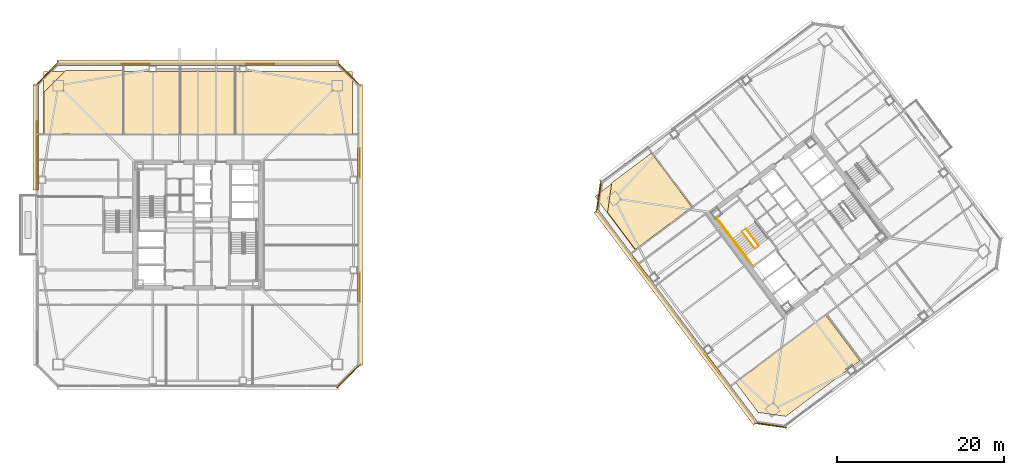
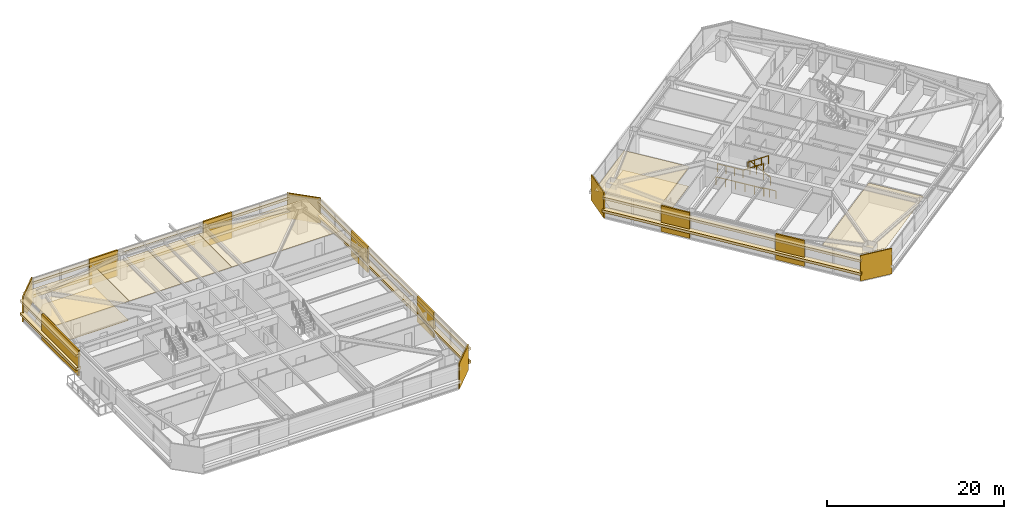
# One storey, part 43 of 46: 28 coverings, 6 railings.
"""IFC4 building model written with IfcOpenShell, lengths in metres."""

from ifc_helpers import new_model, si_unit, direction, frame, origin, origin_2d, place, context, subcontext, project, spatial, polyline, rectangle, outline, extrude, material, layer, layer_set, type_object, element, save


model = new_model("IFC4")

# Units and contexts
model_context = context("Model", 3, precision=1e-05, world=origin(), true_north=direction((0.0, 1.0)))
body_context = subcontext(model_context, "Body", "Model", "MODEL_VIEW")
ifc_project = project(units=[si_unit("LENGTHUNIT", "METRE"), si_unit("AREAUNIT", "SQUARE_METRE"), si_unit("VOLUMEUNIT", "CUBIC_METRE"), si_unit("PLANEANGLEUNIT", "RADIAN"), si_unit("MASSUNIT", "GRAM", prefix="KILO")], contexts=[model_context])

# Site, building, storey
site_placement = place(None, origin())
site = spatial("IfcSite", under=ifc_project, at=site_placement, CompositionType="ELEMENT")
building_placement = place(site_placement, origin())
building = spatial("IfcBuilding", under=site, at=building_placement, Name="Tashvorn Skyway Center", CompositionType="ELEMENT")
storey_placement = place(building_placement, frame((0.0, 0.0, 132.14990234375)))
storey = spatial("IfcBuildingStorey", under=building, at=storey_placement, Name="L35", CompositionType="ELEMENT", Elevation=132.14990234375)

# Coverings
ifc_material_1 = material(Name="Precast concrete C40/50", Category="concrete")
ifc_layer_1 = layer(ifc_material_1, 0.199951171875)
ifc_layer_set_1 = layer_set([ifc_layer_1], Name="Precast concrete C40/50")
covering_type_1 = type_object("IfcCoveringType", Name="COV-BRACE-CLAD", PredefinedType="CLADDING", material=ifc_layer_set_1)
covering_1_placement = place(storey_placement, frame((22.719970703125, 40.4267578125, 0.0), z_axis=(0.0, 0.0, 1.0), x_axis=(0.0, 1.0, 0.0)))
element("IfcCovering", 1, at=covering_1_placement, inside=storey, type_object=covering_type_1, Name="Tower 1 L35 West Curtain Wall R Mega-Brace Cladding Band 1", PredefinedType="CLADDING", context=body_context, shape_type="SweptSolid", body=[
    extrude(rectangle(XDim=8.353271484375, YDim=0.199951171875, at=origin_2d()), origin(), (0.0, 0.0, 1.0), 3.550048828125),
])
for number, where, z_axis, x_axis, name in (
    (2, (34.542236328125, 51.280029296875, 0.0), (0.0, 0.0, 1.0), (1.0, 0.0, 0.0), "Tower 1 L35 North Unitised Curtain Wall Mega-Brace Cladding Band 1"),
    (3, (49.457763671875, 51.280029296875, 0.0), (0.0, 0.0, 1.0), (1.0, 0.0, 0.0), "Tower 1 L35 North Unitised Curtain Wall Mega-Brace Cladding Band 2"),
    (4, (61.280029296875, 39.457763671875, 0.0), (0.0, 0.0, 1.0), (0.0, -1.0, 0.0), "Tower 1 L35 East Unitised Curtain Wall Mega-Brace Cladding Band 1"),
    (5, (61.280029296875, 24.542236328125, 0.0), (0.0, 0.0, 1.0), (0.0, -1.0, 0.0), "Tower 1 L35 East Unitised Curtain Wall Mega-Brace Cladding Band 2"),
):
    element("IfcCovering", number, at=place(storey_placement, frame(where, z_axis=z_axis, x_axis=x_axis)), inside=storey, type_object=covering_type_1, Name=name, PredefinedType="CLADDING", context=body_context, shape_type="SweptSolid", body=[
        extrude(rectangle(XDim=3.72900390625, YDim=0.199951171875, at=origin_2d()), origin(), (0.0, 0.0, 1.0), 3.550048828125),
    ])
for number, where, z_axis, x_axis, name in (
    (6, (103.610595703125, 15.3857421875, 0.0), (0.0, 0.0, 1.0), (-0.600000004945, 0.799999996291, 0.0), "Tower 2 L35 West Unitised Curtain Wall Mega-Brace Cladding Band 1"),
    (7, (95.141357421875, 26.67822265625, 0.0), (0.0, 0.0, 1.0), (-0.600000004945, 0.799999996291, 0.0), "Tower 2 L35 West Unitised Curtain Wall Mega-Brace Cladding Band 2"),
):
    element("IfcCovering", number, at=place(storey_placement, frame(where, z_axis=z_axis, x_axis=x_axis)), inside=storey, type_object=covering_type_1, Name=name, PredefinedType="CLADDING", context=body_context, shape_type="SweptSolid", body=[
        extrude(rectangle(XDim=3.52880859375, YDim=0.199951171875, at=origin_2d()), origin(), (0.0, 0.0, 1.0), 3.550048828125),
    ])
ifc_material_2 = material(Name="Mineral-fibre acoustic ceiling tile on suspended grid")
ifc_layer_2 = layer(ifc_material_2, 0.02001953125)
ifc_layer_set_2 = layer_set([ifc_layer_2], Name="Mineral-fibre acoustic ceiling tile on suspended grid")
covering_type_2 = type_object("IfcCoveringType", Name="COV-CEIL-20", PredefinedType="CEILING", material=ifc_layer_set_2)
covering_2_placement = place(storey_placement, frame((0.0, 0.0, 2.703125)))
element("IfcCovering", 8, at=covering_2_placement, inside=storey, type_object=covering_type_2, Name="Tower 1 L35 Conference Room Acoustic Ceiling", PredefinedType="CEILING", context=body_context, shape_type="SweptSolid", body=[
    extrude(outline(polyline([(23.5, 42.85009765625), (33.10009765625, 42.85009765625), (33.10009765625, 50.39990234375), (23.5, 50.39990234375), (23.5, 42.85009765625)])), origin(), (0.0, 0.0, 1.0), 0.02001953125),
])
covering_3_placement = place(storey_placement, frame((0.0, 0.0, 2.703125)))
element("IfcCovering", 9, at=covering_3_placement, inside=storey, type_object=covering_type_2, Name="Tower 1 L35 Conference Room Acoustic Ceiling", PredefinedType="CEILING", context=body_context, shape_type="SweptSolid", body=[
    extrude(outline(polyline([(33.10009765625, 42.85009765625), (39.89990234375, 42.85009765625), (39.89990234375, 50.39990234375), (33.10009765625, 50.39990234375), (33.10009765625, 42.85009765625)])), origin(), (0.0, 0.0, 1.0), 0.02001953125),
])
covering_4_placement = place(storey_placement, frame((0.0, 0.0, 2.703125)))
element("IfcCovering", 10, at=covering_4_placement, inside=storey, type_object=covering_type_2, Name="Tower 1 L35 Collaborative Studio Acoustic Ceiling", PredefinedType="CEILING", context=body_context, shape_type="SweptSolid", body=[
    extrude(outline(polyline([(39.89990234375, 42.85009765625), (46.5, 42.85009765625), (46.5, 50.39990234375), (39.89990234375, 50.39990234375), (39.89990234375, 42.85009765625)])), origin(), (0.0, 0.0, 1.0), 0.02001953125),
])
covering_5_placement = place(storey_placement, frame((0.0, 0.0, 2.703125)))
element("IfcCovering", 11, at=covering_5_placement, inside=storey, type_object=covering_type_2, Name="Tower 1 L35 Gallery Showroom Acoustic Ceiling", PredefinedType="CEILING", context=body_context, shape_type="SweptSolid", body=[
    extrude(outline(polyline([(46.5, 42.85009765625), (60.5, 42.85009765625), (60.5, 50.39990234375), (46.5, 50.39990234375), (46.5, 42.85009765625)])), origin(), (0.0, 0.0, 1.0), 0.02001953125),
])
covering_6_placement = place(storey_placement, frame((0.0, 0.0, 2.703125)))
element("IfcCovering", 12, at=covering_6_placement, inside=storey, type_object=covering_type_2, Name="Tower 2 L35 Conference Room Acoustic Ceiling", PredefinedType="CEILING", context=body_context, shape_type="SweptSolid", body=[
    extrude(outline(polyline([(94.389892578125, 28.97998046875), (101.27001953125, 34.139892578125), (96.43994140625, 40.580078125), (89.56005859375, 35.419921875), (94.389892578125, 28.97998046875)])), origin(), (0.0, 0.0, 1.0), 0.02001953125),
])
covering_7_placement = place(storey_placement, frame((0.0, 0.0, 2.703125)))
element("IfcCovering", 13, at=covering_7_placement, inside=storey, type_object=covering_type_2, Name="Tower 2 L35 Conference Room Acoustic Ceiling", PredefinedType="CEILING", context=body_context, shape_type="SweptSolid", body=[
    extrude(outline(polyline([(106.431884765625, 13.1240234375), (117.199951171875, 21.199951171875), (121.2919921875, 15.743896484375), (112.412109375, 9.083984375), (109.10791015625, 9.555908203125), (106.431884765625, 13.1240234375)])), origin(), (0.0, 0.0, 1.0), 0.02001953125),
])
ifc_material_3 = material(Name="Polished Mojave desert-aggregate terrazzo and cover plate")
ifc_layer_3 = layer(ifc_material_3, 0.0400390625)
ifc_layer_set_3 = layer_set([ifc_layer_3], Name="Polished Mojave desert-aggregate terrazzo and cover plate")
covering_type_3 = type_object("IfcCoveringType", Name="COV-FLR-40", PredefinedType="FLOORING", material=ifc_layer_set_3)
covering_8_placement = place(storey_placement, origin())
element("IfcCovering", 14, at=covering_8_placement, inside=storey, type_object=covering_type_3, Name="Tower 1 L35 Conference Room Finish Flooring", PredefinedType="FLOORING", context=body_context, shape_type="SweptSolid", body=[
    extrude(outline(polyline([(33.02001953125, 42.929931640625), (23.580078125, 42.929931640625), (23.580078125, 47.8798828125), (26.199951171875, 50.5), (33.02001953125, 50.5), (33.02001953125, 42.929931640625)])), origin(), (0.0, 0.0, 1.0), 0.0400390625),
])
covering_9_placement = place(storey_placement, origin())
element("IfcCovering", 15, at=covering_9_placement, inside=storey, type_object=covering_type_3, Name="Tower 2 L35 Conference Room Finish Flooring", PredefinedType="FLOORING", context=body_context, shape_type="SweptSolid", body=[
    extrude(outline(polyline([(101.157958984375, 34.156005859375), (94.406005859375, 29.092041015625), (91.075927734375, 33.531982421875), (91.580078125, 37.06005859375), (96.31591796875, 40.612060546875), (101.157958984375, 34.156005859375)])), origin(), (0.0, 0.0, 1.0), 0.0400390625),
])
ifc_material_4 = material(Name="Perforated ceramic-coated bronze aluminium solar screen", Category="aluminium")
ifc_layer_4 = layer(ifc_material_4, 0.85009765625)
ifc_layer_set_4 = layer_set([ifc_layer_4], Name="Perforated ceramic-coated bronze aluminium solar screen")
covering_type_4 = type_object("IfcCoveringType", Name="COV-SOLAR-BAND", PredefinedType="CLADDING", material=ifc_layer_set_4)
for number, where, z_axis, x_axis, name in (
    (16, (22.580078125, 42.514892578125, 0.919921875), (0.0, 0.0, 1.0), (0.0, 1.0, 0.0), "L35 Perforated Ceramic-Metal Solar Screen Louvre Band West 1"),
    (17, (22.580078125, 42.514892578125, 2.72021484375), (0.0, 0.0, 1.0), (0.0, 1.0, 0.0), "L35 Perforated Ceramic-Metal Solar Screen Louvre Band West 2"),
):
    element("IfcCovering", number, at=place(storey_placement, frame(where, z_axis=z_axis, x_axis=x_axis)), inside=storey, type_object=covering_type_4, Name=name, PredefinedType="CLADDING", context=body_context, shape_type="SweptSolid", body=[
        extrude(rectangle(XDim=12.64990234375, YDim=0.639892578125, at=origin_2d()), origin(), (0.0, 0.0, 1.0), 0.360107421875),
    ])
for number, where, z_axis, x_axis, name in (
    (18, (42.0, 51.419921875, 0.919921875), (0.0, 0.0, 1.0), (1.0, 0.0, 0.0), "L35 Perforated Ceramic-Metal Solar Screen Louvre Band North 1"),
    (19, (42.0, 51.419921875, 2.72021484375), (0.0, 0.0, 1.0), (1.0, 0.0, 0.0), "L35 Perforated Ceramic-Metal Solar Screen Louvre Band North 2"),
    (20, (61.419921875, 32.0, 0.919921875), (0.0, 0.0, 1.0), (0.0, -1.0, 0.0), "L35 Perforated Ceramic-Metal Solar Screen Louvre Band East 1"),
    (21, (61.419921875, 32.0, 2.72021484375), (0.0, 0.0, 1.0), (0.0, -1.0, 0.0), "L35 Perforated Ceramic-Metal Solar Screen Louvre Band East 2"),
):
    element("IfcCovering", number, at=place(storey_placement, frame(where, z_axis=z_axis, x_axis=x_axis)), inside=storey, type_object=covering_type_4, Name=name, PredefinedType="CLADDING", context=body_context, shape_type="SweptSolid", body=[
        extrude(rectangle(XDim=33.679931640625, YDim=0.639892578125, at=origin_2d()), origin(), (0.0, 0.0, 1.0), 0.360107421875),
    ])
for number, where, z_axis, x_axis, name in (
    (22, (99.263916015625, 20.947998046875, 0.919921875), (0.0, 0.0, 1.0), (-0.600000004945, 0.799999996291, 0.0), "L35 Perforated Ceramic-Metal Solar Screen Louvre Band West 1"),
    (23, (99.263916015625, 20.947998046875, 2.72021484375), (0.0, 0.0, 1.0), (-0.600000004945, 0.799999996291, 0.0), "L35 Perforated Ceramic-Metal Solar Screen Louvre Band West 2"),
):
    element("IfcCovering", number, at=place(storey_placement, frame(where, z_axis=z_axis, x_axis=x_axis)), inside=storey, type_object=covering_type_4, Name=name, PredefinedType="CLADDING", context=body_context, shape_type="SweptSolid", body=[
        extrude(rectangle(XDim=31.8798828125, YDim=0.639892578125, at=origin_2d()), origin(), (0.0, 0.0, 1.0), 0.360107421875),
    ])
ifc_layer_5 = layer(ifc_material_1, 0.35009765625)
ifc_layer_set_5 = layer_set([ifc_layer_5], Name="Precast concrete C40/50")
covering_type_5 = type_object("IfcCoveringType", Name="COV-STONE-TRIM", PredefinedType="CLADDING", material=ifc_layer_set_5)
for number, where, z_axis, x_axis, name in (
    (24, (23.929931640625, 50.070068359375, 0.02001953125), (0.0, 0.0, 1.0), (-0.707106781187, -0.707106781187, 0.0), "Tower 1 L35 NW Mojave Limestone Corner Quoin"),
    (25, (60.070068359375, 50.070068359375, 0.02001953125), (0.0, 0.0, 1.0), (0.707106781187, -0.707106781187, 0.0), "Tower 1 L35 NE Mojave Limestone Corner Quoin"),
    (26, (60.070068359375, 13.929931640625, 0.02001953125), (0.0, 0.0, 1.0), (0.707106781187, 0.707106781187, 0.0), "Tower 1 L35 SE Mojave Limestone Corner Quoin"),
):
    element("IfcCovering", number, at=place(storey_placement, frame(where, z_axis=z_axis, x_axis=x_axis)), inside=storey, type_object=covering_type_5, Name=name, PredefinedType="CLADDING", context=body_context, shape_type="SweptSolid", body=[
        extrude(rectangle(XDim=3.978515625, YDim=0.139892578125, at=origin_2d()), origin(), (0.0, 0.0, 1.0), 3.510009765625),
    ])
for number, where, z_axis, x_axis, name in (
    (27, (110.575927734375, 8.031982421875, 0.02001953125), (0.0, 0.0, 1.0), (-0.989949494535, 0.141421350118, 0.0), "Tower 2 L35 SW Mojave Limestone Corner Quoin"),
    (28, (90.031982421875, 35.424072265625, 0.02001953125), (0.0, 0.0, 1.0), (-0.141421350118, -0.989949494535, 0.0), "Tower 2 L35 NW Mojave Limestone Corner Quoin"),
):
    element("IfcCovering", number, at=place(storey_placement, frame(where, z_axis=z_axis, x_axis=x_axis)), inside=storey, type_object=covering_type_5, Name=name, PredefinedType="CLADDING", context=body_context, shape_type="SweptSolid", body=[
        extrude(rectangle(XDim=3.8369140625, YDim=0.139892578125, at=origin_2d()), origin(), (0.0, 0.0, 1.0), 3.510009765625),
    ])

# Railings
ifc_material_5 = material(Name="Brushed stainless steel 316", Category="steel")
railing_type_1 = type_object("IfcRailingType", Name="RAIL-HAND-920", PredefinedType="HANDRAIL", material=ifc_material_5)
railing_1_placement = place(storey_placement, frame((106.072021484375, 30.35400390625, 1.95263671875)))
element("IfcRailing", 29, at=railing_1_placement, inside=storey, type_object=railing_type_1, Name="L35 ST-T2-1 stair handrail 2", PredefinedType="HANDRAIL", context=body_context, shape_type="SweptSolid", body=[
    extrude(rectangle(XDim=0.048095703125, YDim=0.048095703125, at=origin_2d()), frame((0.0, 0.0, 0.8759765625), z_axis=(0.506740800098, -0.675708949977, 0.535379469569), x_axis=(0.800023250257, 0.599968998406, 0.0)), (0.0, 0.0, 1.0), 2.983642578125),
    extrude(rectangle(XDim=0.0419921875, YDim=0.0419921875, at=origin_2d()), origin(), (0.0, 0.0, 1.0), 0.851806640625),
    extrude(rectangle(XDim=0.0419921875, YDim=0.0419921875, at=origin_2d()), frame((0.50390625, -0.672119140625, 0.532470703125)), (0.0, 0.0, 1.0), 0.851806640625),
    extrude(rectangle(XDim=0.0419921875, YDim=0.0419921875, at=origin_2d()), frame((1.008056640625, -1.343994140625, 1.06494140625)), (0.0, 0.0, 1.0), 0.851806640625),
    extrude(rectangle(XDim=0.0419921875, YDim=0.0419921875, at=origin_2d()), frame((1.511962890625, -2.01611328125, 1.597412109375)), (0.0, 0.0, 1.0), 0.851806640625),
])
ifc_material_6 = material(Name="Painted galvanized steel S355", Category="steel")
railing_type_2 = type_object("IfcRailingType", Name="RAIL-STGUARD-1100", PredefinedType="GUARDRAIL", material=ifc_material_6)
railing_2_placement = place(storey_placement, frame((109.16796875, 29.52587890625, 0.177490234375)))
element("IfcRailing", 30, at=railing_2_placement, inside=storey, type_object=railing_type_2, Name="L35 ST-T2-1 stair guard 1", PredefinedType="GUARDRAIL", context=body_context, shape_type="SweptSolid", body=[
    extrude(rectangle(XDim=0.048095703125, YDim=0.048095703125, at=origin_2d()), frame((0.0, 0.0, 1.076171875), z_axis=(-0.506718600913, 0.675679348675, 0.535437836974), x_axis=(-0.800023250257, -0.599968998406, 0.0)), (0.0, 0.0, 1.0), 2.98388671875),
    extrude(rectangle(XDim=0.0419921875, YDim=0.0419921875, at=origin_2d()), origin(), (0.0, 0.0, 1.0), 1.052001953125),
    extrude(rectangle(XDim=0.0419921875, YDim=0.0419921875, at=origin_2d()), frame((-0.50390625, 0.672119140625, 0.532470703125)), (0.0, 0.0, 1.0), 1.052001953125),
    extrude(rectangle(XDim=0.0419921875, YDim=0.0419921875, at=origin_2d()), frame((-1.008056640625, 1.343994140625, 1.065185546875)), (0.0, 0.0, 1.0), 1.052001953125),
    extrude(rectangle(XDim=0.0419921875, YDim=0.0419921875, at=origin_2d()), frame((-1.511962890625, 2.01611328125, 1.59765625)), (0.0, 0.0, 1.0), 1.052001953125),
])
railing_3_placement = place(storey_placement, frame((106.072021484375, 30.35400390625, 1.775146484375)))
element("IfcRailing", 31, at=railing_3_placement, inside=storey, type_object=railing_type_2, Name="L35 ST-T2-1 stair guard 3", PredefinedType="GUARDRAIL", context=body_context, shape_type="SweptSolid", body=[
    extrude(rectangle(XDim=0.048095703125, YDim=0.048095703125, at=origin_2d()), frame((0.0, 0.0, 1.076171875), z_axis=(-0.599987638607, 0.800009270896, 0.0), x_axis=(-0.800009270896, -0.599987638607, 0.0)), (0.0, 0.0, 1.0), 3.16015625),
    extrude(rectangle(XDim=0.0419921875, YDim=0.0419921875, at=origin_2d()), origin(), (0.0, 0.0, 1.0), 1.052001953125),
    extrude(rectangle(XDim=0.0419921875, YDim=0.0419921875, at=origin_2d()), frame((-0.632080078125, 0.8427734375, 0.0)), (0.0, 0.0, 1.0), 1.052001953125),
    extrude(rectangle(XDim=0.0419921875, YDim=0.0419921875, at=origin_2d()), frame((-1.263916015625, 1.685302734375, 0.0)), (0.0, 0.0, 1.0), 1.052001953125),
    extrude(rectangle(XDim=0.0419921875, YDim=0.0419921875, at=origin_2d()), frame((-1.89599609375, 2.528076171875, 0.0)), (0.0, 0.0, 1.0), 1.052001953125),
])
railing_4_placement = place(storey_placement, frame((107.19189453125, 31.194091796875, 1.95263671875)))
element("IfcRailing", 32, at=railing_4_placement, inside=storey, type_object=railing_type_2, Name="L35 ST-T2-1 stair guard 4", PredefinedType="GUARDRAIL", context=body_context, shape_type="SweptSolid", body=[
    extrude(rectangle(XDim=0.048095703125, YDim=0.048095703125, at=origin_2d()), frame((0.0, 0.0, 1.076171875), z_axis=(0.506801609611, -0.675680931896, 0.535357270211), x_axis=(0.799976749893, 0.600030998891, 0.0)), (0.0, 0.0, 1.0), 2.98388671875),
    extrude(rectangle(XDim=0.0419921875, YDim=0.0419921875, at=origin_2d()), origin(), (0.0, 0.0, 1.0), 1.052001953125),
    extrude(rectangle(XDim=0.0419921875, YDim=0.0419921875, at=origin_2d()), frame((0.504150390625, -0.672119140625, 0.532470703125)), (0.0, 0.0, 1.0), 1.052001953125),
    extrude(rectangle(XDim=0.0419921875, YDim=0.0419921875, at=origin_2d()), frame((1.008056640625, -1.343994140625, 1.06494140625)), (0.0, 0.0, 1.0), 1.052001953125),
    extrude(rectangle(XDim=0.0419921875, YDim=0.0419921875, at=origin_2d()), frame((1.51220703125, -2.01611328125, 1.597412109375)), (0.0, 0.0, 1.0), 1.052001953125),
])
railing_5_placement = place(storey_placement, frame((108.49609375, 27.1220703125, 0.0)))
element("IfcRailing", 33, at=railing_5_placement, inside=storey, type_object=railing_type_2, Name="L35 ST-T2-1 stair guard 6", PredefinedType="GUARDRAIL", context=body_context, shape_type="SweptSolid", body=[
    extrude(rectangle(XDim=0.048095703125, YDim=0.048095703125, at=origin_2d()), frame((0.0, 0.0, 1.076171875), z_axis=(-0.600102796382, 0.799922892393, 0.0), x_axis=(-0.799922892393, -0.600102796382, 0.0)), (0.0, 0.0, 1.0), 1.52001953125),
    extrude(rectangle(XDim=0.0419921875, YDim=0.0419921875, at=origin_2d()), origin(), (0.0, 0.0, 1.0), 1.052001953125),
    extrude(rectangle(XDim=0.0419921875, YDim=0.0419921875, at=origin_2d()), frame((-0.4560546875, 0.60791015625, 0.0)), (0.0, 0.0, 1.0), 1.052001953125),
    extrude(rectangle(XDim=0.0419921875, YDim=0.0419921875, at=origin_2d()), frame((-0.912109375, 1.2158203125, 0.0)), (0.0, 0.0, 1.0), 1.052001953125),
])
railing_6_placement = place(storey_placement, frame((107.56396484375, 28.197998046875, 0.0)))
element("IfcRailing", 34, at=railing_6_placement, inside=storey, type_object=railing_type_2, Name="L35 ST-T2-1 stair guard 7", PredefinedType="GUARDRAIL", context=body_context, shape_type="SweptSolid", body=[
    extrude(rectangle(XDim=0.048095703125, YDim=0.048095703125, at=origin_2d()), frame((0.0, 0.0, 1.076171875), z_axis=(-0.6, 0.8, 0.0), x_axis=(-0.8, -0.6, 0.0)), (0.0, 0.0, 1.0), 5.880126953125),
    extrude(rectangle(XDim=0.0419921875, YDim=0.0419921875, at=origin_2d()), origin(), (0.0, 0.0, 1.0), 1.052001953125),
    extrude(rectangle(XDim=0.0419921875, YDim=0.0419921875, at=origin_2d()), frame((-0.70556640625, 0.94091796875, 0.0)), (0.0, 0.0, 1.0), 1.052001953125),
    extrude(rectangle(XDim=0.0419921875, YDim=0.0419921875, at=origin_2d()), frame((-1.4111328125, 1.881591796875, 0.0)), (0.0, 0.0, 1.0), 1.052001953125),
    extrude(rectangle(XDim=0.0419921875, YDim=0.0419921875, at=origin_2d()), frame((-2.116943359375, 2.822509765625, 0.0)), (0.0, 0.0, 1.0), 1.052001953125),
    extrude(rectangle(XDim=0.0419921875, YDim=0.0419921875, at=origin_2d()), frame((-2.822509765625, 3.76318359375, 0.0)), (0.0, 0.0, 1.0), 1.052001953125),
    extrude(rectangle(XDim=0.0419921875, YDim=0.0419921875, at=origin_2d()), frame((-3.528076171875, 4.7041015625, 0.0)), (0.0, 0.0, 1.0), 1.052001953125),
])

save(model, "model.ifc")
